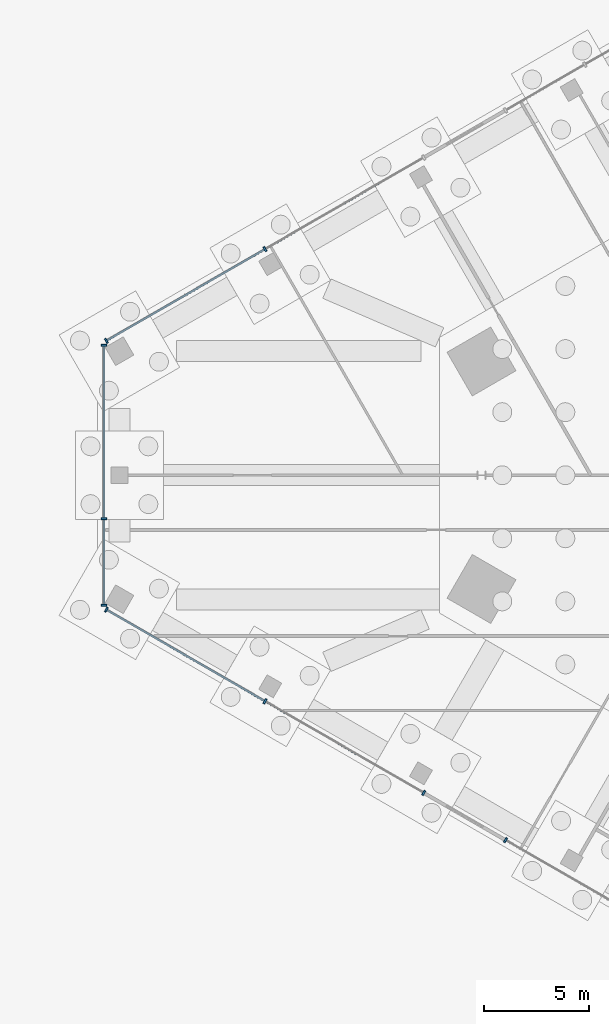
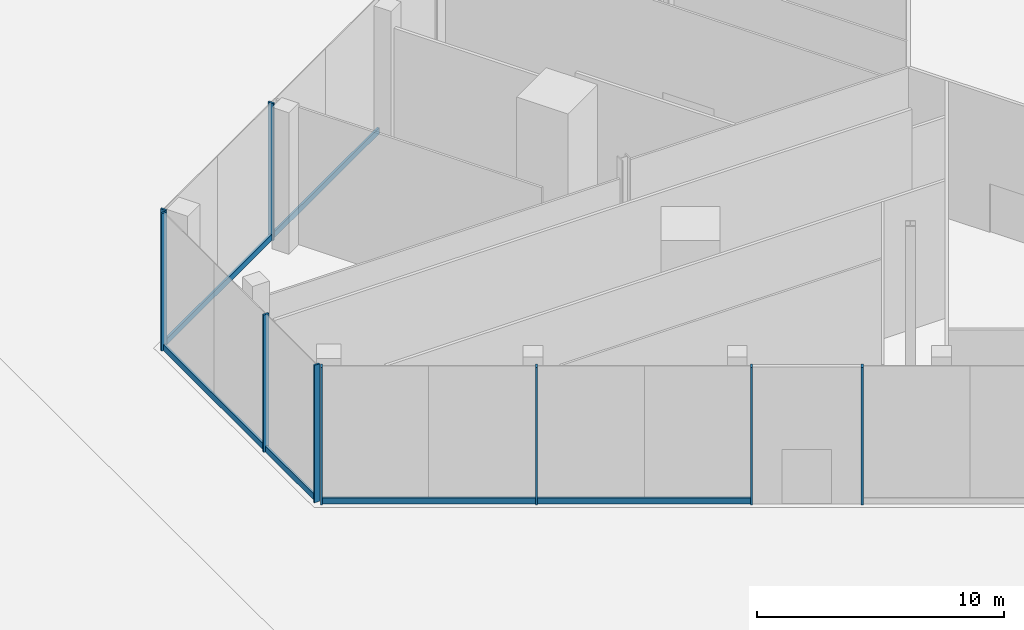
# One storey, part 9 of 27: 15 members, 4 elements without a shape of their own.
"""IFC4 building model written with IfcOpenShell, lengths in metres."""

from ifc_helpers import new_model, si_unit, direction, frame, origin, origin_2d, place, context, subcontext, project, spatial, rectangle, extrude, source, transform, mapped, material, material_profile, profile_set, type_object, element, aggregate, save


model = new_model("IFC4")

# Units and contexts
model_context = context("Model", 3, precision=1e-05, world=origin(), true_north=direction((0.0, 1.0)))
body_context = subcontext(model_context, "Body", "Model", "MODEL_VIEW")
ifc_project = project(units=[si_unit("LENGTHUNIT", "METRE"), si_unit("AREAUNIT", "SQUARE_METRE"), si_unit("VOLUMEUNIT", "CUBIC_METRE"), si_unit("PLANEANGLEUNIT", "RADIAN"), si_unit("MASSUNIT", "GRAM", prefix="KILO")], contexts=[model_context])

# Site, building, storey
site_placement = place(None, origin())
site = spatial("IfcSite", under=ifc_project, at=site_placement, CompositionType="ELEMENT")
building_placement = place(site_placement, origin())
building = spatial("IfcBuilding", under=site, at=building_placement, Name="Triune Harvest Tower", CompositionType="ELEMENT")
storey_placement = place(building_placement, origin())
storey = spatial("IfcBuildingStorey", under=building, at=storey_placement, Name="L00", CompositionType="ELEMENT", Elevation=0.0)

# Curtain wall, members
ifc_material_1 = material(Name="Aluminium bronze anodised", Category="aluminium")
curtain_wall_type = type_object("IfcCurtainWallType", Name="CW-2 Podium shopfront wall", PredefinedType="NOTDEFINED", material=ifc_material_1)
curtain_wall_1_placement = place(storey_placement, origin())
curtain_wall_1 = element("IfcCurtainWall", 1, at=curtain_wall_1_placement, inside=storey, type_object=curtain_wall_type, Name="CW-2 PD-F3 L00 run 4")
ifc_material_2 = material(Name="Aluminium bronze anodised", Category="aluminium")
ifc_material_profile_1 = material_profile(ifc_material_2, rectangle(XDim=0.25, YDim=0.090087890625, at=origin_2d()), Name="MU-2 mullion 90 x 250")
ifc_profile_set_1 = profile_set([ifc_material_profile_1], Name="Aluminium bronze anodised")
member_type_1 = type_object("IfcMemberType", Name="MU-2 mullion 90 x 250", PredefinedType="MULLION", material=ifc_profile_set_1)
shared_shape_1 = source(origin(), body_context, "Body", "SweptSolid", [
    extrude(rectangle(XDim=0.25, YDim=0.090087890625, at=origin_2d()), origin(), (0.0, 0.0, 1.0), 6.800048828125),
])
member_1_placement = place(storey_placement, frame((-44.285400390625, 10.752197265625, 0.0), z_axis=(0.0, 0.0, 1.0), x_axis=(0.500000221117, -0.866025276122, 0.0)))
member_1 = element("IfcMember", 2, at=member_1_placement, type_object=member_type_1, Name="CW-2 mullion PD-F3 4.3", PredefinedType="MULLION", context=body_context, shape_type="MappedRepresentation", body=[
    mapped(shared_shape_1, transform((0.0, 0.0, 0.0), scale=1.0)),
])
member_2_placement = place(storey_placement, frame((-51.833251953125, 6.394287109375, 0.0), z_axis=(0.0, 0.0, 1.0), x_axis=(0.500000221117, -0.866025276122, 0.0)))
member_2 = element("IfcMember", 3, at=member_2_placement, type_object=member_type_1, Name="CW-2 mullion PD-F3 4.5", PredefinedType="MULLION", context=body_context, shape_type="MappedRepresentation", body=[
    mapped(shared_shape_1, transform((0.0, 0.0, 0.0), scale=1.0)),
])

curtain_wall_2_placement = place(storey_placement, origin())
curtain_wall_2 = element("IfcCurtainWall", 4, at=curtain_wall_2_placement, inside=storey, type_object=curtain_wall_type, Name="CW-2 PD-F4 L00 run 1")
member_3_placement = place(storey_placement, frame((-51.9501953125, 6.19189453125, 0.0), z_axis=(0.0, 0.0, 1.0), x_axis=(1.0, 0.0, 0.0)))
member_3 = element("IfcMember", 5, at=member_3_placement, type_object=member_type_1, Name="CW-2 mullion PD-F4 1.1", PredefinedType="MULLION", context=body_context, shape_type="MappedRepresentation", body=[
    mapped(shared_shape_1, transform((0.0, 0.0, 0.0), scale=1.0)),
])
member_4_placement = place(storey_placement, frame((-51.9501953125, -2.078857421875, 0.0), z_axis=(0.0, 0.0, 1.0), x_axis=(1.0, 0.0, 0.0)))
member_4 = element("IfcMember", 6, at=member_4_placement, type_object=member_type_1, Name="CW-2 mullion PD-F4 1.3", PredefinedType="MULLION", context=body_context, shape_type="MappedRepresentation", body=[
    mapped(shared_shape_1, transform((0.0, 0.0, 0.0), scale=1.0)),
])
member_5_placement = place(storey_placement, frame((-51.9501953125, -6.19189453125, 0.0), z_axis=(0.0, 0.0, 1.0), x_axis=(1.0, 0.0, 0.0)))
member_5 = element("IfcMember", 7, at=member_5_placement, type_object=member_type_1, Name="CW-2 mullion PD-F4 1.4", PredefinedType="MULLION", context=body_context, shape_type="MappedRepresentation", body=[
    mapped(shared_shape_1, transform((0.0, 0.0, 0.0), scale=1.0)),
])

curtain_wall_3_placement = place(storey_placement, origin())
curtain_wall_3 = element("IfcCurtainWall", 8, at=curtain_wall_3_placement, inside=storey, type_object=curtain_wall_type, Name="CW-2 PD-F5 L00 run 1")
member_6_placement = place(storey_placement, frame((-51.833251953125, -6.394287109375, 0.0), z_axis=(0.0, 0.0, 1.0), x_axis=(0.500000221117, 0.866025276122, 0.0)))
member_6 = element("IfcMember", 9, at=member_6_placement, type_object=member_type_1, Name="CW-2 mullion PD-F5 1.1", PredefinedType="MULLION", context=body_context, shape_type="MappedRepresentation", body=[
    mapped(shared_shape_1, transform((0.0, 0.0, 0.0), scale=1.0)),
])
member_7_placement = place(storey_placement, frame((-44.285400390625, -10.752197265625, 0.0), z_axis=(0.0, 0.0, 1.0), x_axis=(0.500000221117, 0.866025276122, 0.0)))
member_7 = element("IfcMember", 10, at=member_7_placement, type_object=member_type_1, Name="CW-2 mullion PD-F5 1.3", PredefinedType="MULLION", context=body_context, shape_type="MappedRepresentation", body=[
    mapped(shared_shape_1, transform((0.0, 0.0, 0.0), scale=1.0)),
])
member_8_placement = place(storey_placement, frame((-36.7373046875, -15.10986328125, 0.0), z_axis=(0.0, 0.0, 1.0), x_axis=(0.500000221117, 0.866025276122, 0.0)))
member_8 = element("IfcMember", 11, at=member_8_placement, type_object=member_type_1, Name="CW-2 mullion PD-F5 1.5", PredefinedType="MULLION", context=body_context, shape_type="MappedRepresentation", body=[
    mapped(shared_shape_1, transform((0.0, 0.0, 0.0), scale=1.0)),
])

# Curtain wall, member
curtain_wall_4_placement = place(storey_placement, origin())
curtain_wall_4 = element("IfcCurtainWall", 12, at=curtain_wall_4_placement, inside=storey, type_object=curtain_wall_type, Name="CW-2 PD-F5 L00 run 2")
member_9_placement = place(storey_placement, frame((-32.846435546875, -17.3564453125, 0.0), z_axis=(0.0, 0.0, 1.0), x_axis=(0.500000221117, 0.866025276122, 0.0)))
member_9 = element("IfcMember", 13, at=member_9_placement, type_object=member_type_1, Name="CW-2 mullion PD-F5 2.1", PredefinedType="MULLION", context=body_context, shape_type="MappedRepresentation", body=[
    mapped(shared_shape_1, transform((0.0, 0.0, 0.0), scale=1.0)),
])
aggregate(curtain_wall_4, [member_9])

# Member
ifc_material_3 = material(Name="Aluminium bronze anodised", Category="aluminium")
ifc_material_profile_2 = material_profile(ifc_material_3, rectangle(XDim=0.10009765625, YDim=0.300048828125, at=origin_2d()), Name="TR-2 transom 100 x 300")
ifc_profile_set_2 = profile_set([ifc_material_profile_2], Name="Aluminium bronze anodised")
member_type_2 = type_object("IfcMemberType", Name="TR-2 transom 100 x 300", PredefinedType="USERDEFINED", material=ifc_profile_set_2)
shared_shape_2 = source(origin(), body_context, "Body", "SweptSolid", [
    extrude(rectangle(XDim=0.10009765625, YDim=0.300048828125, at=origin_2d()), origin(), (0.0, 0.0, 1.0), 8.6259765625),
])
member_10_placement = place(storey_placement, frame((-44.32421875, 10.729736328125, 0.14990234375), z_axis=(-0.866022505755, -0.5000050195, 0.0), x_axis=(0.5000050195, -0.866022505755, 0.0)))
member_10 = element("IfcMember", 14, at=member_10_placement, type_object=member_type_2, Name="CW-2 transom PD-F3 4.2", ObjectType="TRANSOM", PredefinedType="USERDEFINED", context=body_context, shape_type="MappedRepresentation", body=[
    mapped(shared_shape_2, transform((0.0, 0.0, 0.0), scale=1.0)),
])

member_11_placement = place(storey_placement, frame((-51.79443359375, -6.416748046875, 0.14990234375), z_axis=(0.866022505755, -0.5000050195, 0.0), x_axis=(0.5000050195, 0.866022505755, 0.0)))
member_11 = element("IfcMember", 15, at=member_11_placement, type_object=member_type_2, Name="CW-2 transom PD-F5 1.1", ObjectType="TRANSOM", PredefinedType="USERDEFINED", context=body_context, shape_type="MappedRepresentation", body=[
    mapped(shared_shape_2, transform((0.0, 0.0, 0.0), scale=1.0)),
])

shared_shape_3 = source(origin(), body_context, "Body", "SweptSolid", [
    extrude(rectangle(XDim=0.10009765625, YDim=0.300048828125, at=origin_2d()), origin(), (0.0, 0.0, 1.0), 8.62548828125),
])
member_12_placement = place(storey_placement, frame((-36.7763671875, 15.08740234375, 0.14990234375), z_axis=(-0.866027685701, -0.499996047583, 0.0), x_axis=(0.499996047583, -0.866027685701, 0.0)))
member_12 = element("IfcMember", 16, at=member_12_placement, type_object=member_type_2, Name="CW-2 transom PD-F3 4.1", ObjectType="TRANSOM", PredefinedType="USERDEFINED", context=body_context, shape_type="MappedRepresentation", body=[
    mapped(shared_shape_3, transform((0.0, 0.0, 0.0), scale=1.0)),
])

aggregate(curtain_wall_1, [member_1, member_2, member_12, member_10])

member_13_placement = place(storey_placement, frame((-44.246337890625, -10.774658203125, 0.14990234375), z_axis=(0.866027685701, -0.499996047583, 0.0), x_axis=(0.499996047583, 0.866027685701, 0.0)))
member_13 = element("IfcMember", 17, at=member_13_placement, type_object=member_type_2, Name="CW-2 transom PD-F5 1.2", ObjectType="TRANSOM", PredefinedType="USERDEFINED", context=body_context, shape_type="MappedRepresentation", body=[
    mapped(shared_shape_3, transform((0.0, 0.0, 0.0), scale=1.0)),
])

aggregate(curtain_wall_3, [member_6, member_7, member_8, member_11, member_13])

shared_shape_4 = source(origin(), body_context, "Body", "SweptSolid", [
    extrude(rectangle(XDim=0.10009765625, YDim=0.300048828125, at=origin_2d()), origin(), (0.0, 0.0, 1.0), 8.1806640625),
])
member_14_placement = place(storey_placement, frame((-51.9501953125, 6.146728515625, 0.14990234375), z_axis=(0.0, -1.0, 0.0), x_axis=(1.0, 0.0, 0.0)))
member_14 = element("IfcMember", 18, at=member_14_placement, type_object=member_type_2, Name="CW-2 transom PD-F4 1.1", ObjectType="TRANSOM", PredefinedType="USERDEFINED", context=body_context, shape_type="MappedRepresentation", body=[
    mapped(shared_shape_4, transform((0.0, 0.0, 0.0), scale=1.0)),
])

shared_shape_5 = source(origin(), body_context, "Body", "SweptSolid", [
    extrude(rectangle(XDim=0.10009765625, YDim=0.300048828125, at=origin_2d()), origin(), (0.0, 0.0, 1.0), 4.022705078125),
])
member_15_placement = place(storey_placement, frame((-51.9501953125, -2.1240234375, 0.14990234375), z_axis=(0.0, -1.0, 0.0), x_axis=(1.0, 0.0, 0.0)))
member_15 = element("IfcMember", 19, at=member_15_placement, type_object=member_type_2, Name="CW-2 transom PD-F4 1.2", ObjectType="TRANSOM", PredefinedType="USERDEFINED", context=body_context, shape_type="MappedRepresentation", body=[
    mapped(shared_shape_5, transform((0.0, 0.0, 0.0), scale=1.0)),
])

aggregate(curtain_wall_2, [member_3, member_4, member_5, member_14, member_15])

save(model, "model.ifc")
